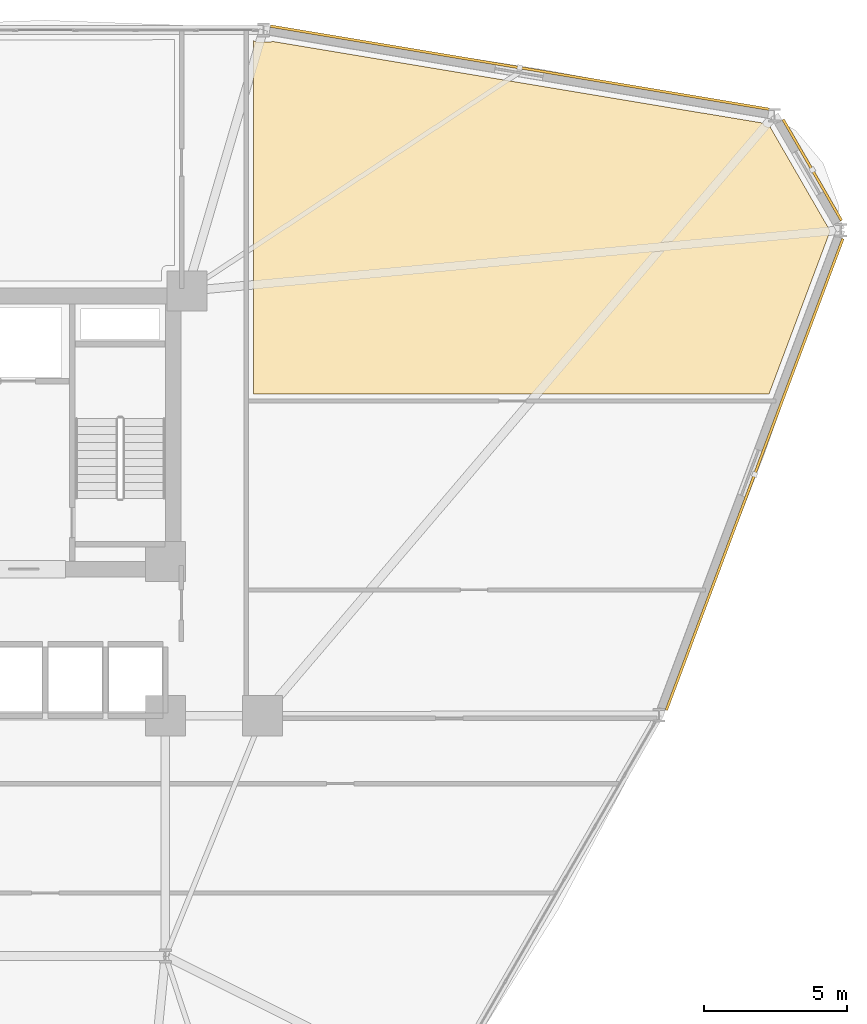
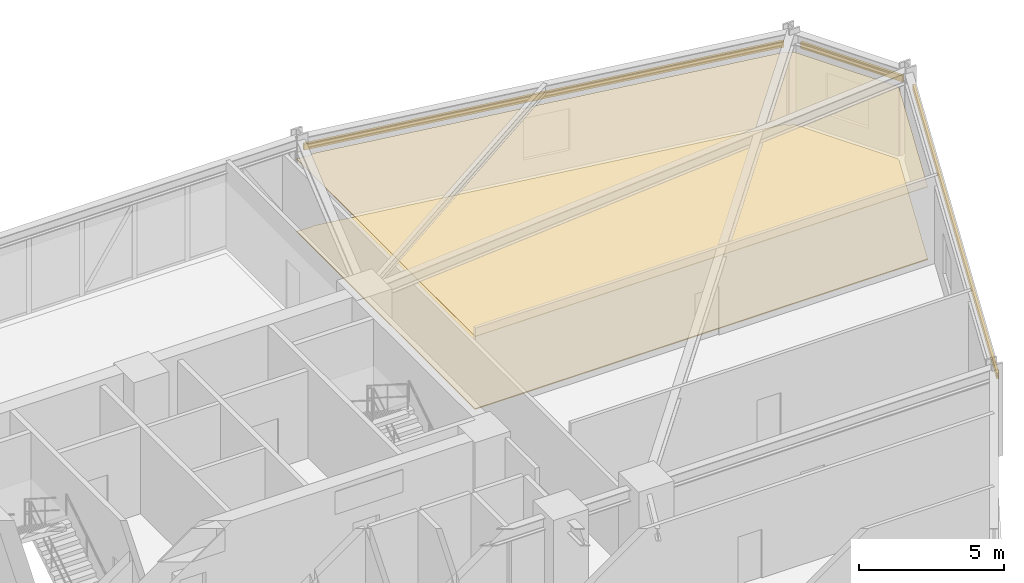
# One storey, part 21 of 21: 3 shading devices, 2 coverings.
"""IFC4 building model written with IfcOpenShell, lengths in metres."""

import ifcopenshell
import ifcopenshell.guid

model = None  # the IFC model being written
_history = None  # IfcOwnerHistory: only IFC2X3 demands one
_inside = {}  # id of a spatial element -> (the spatial element, [elements in it])
_under = {}  # id of a project, library or spatial element -> (it, [spatial elements below it])
_declared = {}  # id of a project -> (the project, [libraries it declares])
_typed = {}  # id of a type object -> (the type object, [elements of that type])
_made_of = {}  # id of a material, layer set ... -> (it, [elements and type objects made of it])


def new_model(schema):
    """Start an empty IFC model of exactly this schema.

    Asked for "IFC4X3", IfcOpenShell would pick the latest addendum, in which some entities
    have other attributes; the version numbers below select the first issue.
    IFC2X3 requires an IfcOwnerHistory on every rooted entity: one is made here for all.
    """
    global model, _history
    if schema == "IFC4X3":
        model = ifcopenshell.file(schema_version=(4, 3, 0, 0))
    else:
        model = ifcopenshell.file(schema=schema)
    _inside.clear()
    _under.clear()
    _declared.clear()
    _typed.clear()
    _made_of.clear()
    _history = None
    if model.schema == "IFC2X3":
        org = make("IfcOrganization", Name="unknown")
        user = make(
            "IfcPersonAndOrganization",
            ThePerson=make("IfcPerson", FamilyName="unknown"),
            TheOrganization=org,
        )
        app = make(
            "IfcApplication",
            ApplicationDeveloper=org,
            Version="unknown",
            ApplicationFullName="unknown",
            ApplicationIdentifier="unknown",
        )
        _history = make(
            "IfcOwnerHistory",
            OwningUser=user,
            OwningApplication=app,
            ChangeAction="ADDED",
            CreationDate=0,
        )
    return model


def make(cls, **values):
    """One entity of the class cls with the attributes given. An attribute that is None is left unset."""
    return model.create_entity(
        cls, **{name: value for name, value in values.items() if value is not None}
    )


def rooted(cls, **values):
    """An entity with a GlobalId (a new one), such as an element, a storey or a relation."""
    return make(cls, GlobalId=ifcopenshell.guid.new(), OwnerHistory=_history, **values)


def si_unit(unit_type, name, prefix=None):
    """IfcSIUnit, for example si_unit("LENGTHUNIT", "METRE", prefix="MILLI")."""
    return make("IfcSIUnit", UnitType=unit_type, Prefix=prefix, Name=name)


def derived_unit(unit_type, elements):
    """IfcDerivedUnit: a product of units, each with its exponent."""
    return make(
        "IfcDerivedUnit",
        Elements=[
            make("IfcDerivedUnitElement", Unit=unit, Exponent=power)
            for unit, power in elements
        ],
        UnitType=unit_type,
    )


def assignment(units):
    """IfcUnitAssignment: the units of a project."""
    return None if units is None else make("IfcUnitAssignment", Units=units)


def point(xyz):
    """IfcCartesianPoint."""
    return None if xyz is None else make("IfcCartesianPoint", Coordinates=xyz)


def direction(xyz):
    """IfcDirection."""
    return None if xyz is None else make("IfcDirection", DirectionRatios=xyz)


def frame(location, z_axis=None, x_axis=None):
    """IfcAxis2Placement3D, a coordinate frame: its origin and axes. An axis left out is left unset."""
    return make(
        "IfcAxis2Placement3D",
        Location=point(location),
        Axis=direction(z_axis),
        RefDirection=direction(x_axis),
    )


def frame_2d(location, x_axis=None):
    """IfcAxis2Placement2D, a coordinate frame in the plane: its origin and x axis."""
    return make(
        "IfcAxis2Placement2D", Location=point(location), RefDirection=direction(x_axis)
    )


def origin():
    """The frame at (0, 0, 0) with its axes left unset."""
    return frame((0.0, 0.0, 0.0))


def origin_2d():
    """The frame at (0, 0) in the plane with its x axis left unset."""
    return frame_2d((0.0, 0.0))


def place(relative_to, where):
    """IfcLocalPlacement: puts the frame where relative to a parent placement (None: the world)."""
    return make(
        "IfcLocalPlacement", PlacementRelTo=relative_to, RelativePlacement=where
    )


def context(
    kind, dimensions, precision=None, world=None, true_north=None, identifier=None
):
    """IfcGeometricRepresentationContext, for example the 3D "Model" context."""
    return make(
        "IfcGeometricRepresentationContext",
        ContextIdentifier=identifier,
        ContextType=kind,
        CoordinateSpaceDimension=dimensions,
        Precision=precision,
        WorldCoordinateSystem=world,
        TrueNorth=true_north,
    )


def subcontext(parent, identifier, kind, view, scale=None):
    """IfcGeometricRepresentationSubContext, for example "Body" below "Model"."""
    return make(
        "IfcGeometricRepresentationSubContext",
        ContextIdentifier=identifier,
        ContextType=kind,
        ParentContext=parent,
        TargetScale=scale,
        TargetView=view,
    )


def project(units=None, contexts=None):
    """IfcProject with its units and contexts."""
    return rooted(
        "IfcProject",
        Name="project",
        RepresentationContexts=contexts,
        UnitsInContext=assignment(units),
    )


def spatial(cls, under=None, at=None, **own):
    """A site, building, storey or space (cls), placed at a placement, below another one or the project."""
    s = rooted(cls, ObjectPlacement=at, **own)
    if under is not None:
        _under.setdefault(under.id(), (under, []))[1].append(s)
    return s


def polyline(points):
    """IfcPolyline through the points."""
    return make("IfcPolyline", Points=[point(p) for p in points])


def profile(cls, at=None, kind="AREA", **sizes):
    """A parametric profile (cls). Its sizes go by their IFC names, for example OverallWidth=200.0."""
    return make(cls, ProfileType=kind, Position=at, **sizes)


def hollow_rectangle(**sizes):
    """IfcRectangleHollowProfileDef."""
    return profile("IfcRectangleHollowProfileDef", **sizes)


def outline(outer, holes=None, kind="AREA"):
    """IfcArbitraryClosedProfileDef: a profile drawn as a closed curve; with holes, ...WithVoids."""
    if holes is None:
        return make("IfcArbitraryClosedProfileDef", ProfileType=kind, OuterCurve=outer)
    return make(
        "IfcArbitraryProfileDefWithVoids",
        ProfileType=kind,
        OuterCurve=outer,
        InnerCurves=holes,
    )


def extrude(swept, where, along, depth):
    """IfcExtrudedAreaSolid: the profile swept, set in the frame where, extruded along a direction by depth."""
    return make(
        "IfcExtrudedAreaSolid",
        SweptArea=swept,
        Position=where,
        ExtrudedDirection=direction(along),
        Depth=depth,
    )


def shape(context_of_items, identifier, shape_type, items):
    """IfcShapeRepresentation: the items that make up one representation, for example the "Body"."""
    return make(
        "IfcShapeRepresentation",
        ContextOfItems=context_of_items,
        RepresentationIdentifier=identifier,
        RepresentationType=shape_type,
        Items=items,
    )


def source(mapping_origin, context_of_items, identifier, shape_type, items):
    """IfcRepresentationMap: a shape defined once, which mapped items show again and again."""
    return make(
        "IfcRepresentationMap",
        MappingOrigin=mapping_origin,
        MappedRepresentation=shape(context_of_items, identifier, shape_type, items),
    )


def transform(
    local_origin,
    x_axis=None,
    y_axis=None,
    z_axis=None,
    scale=None,
    scale2=None,
    scale3=None,
    uniform=True,
):
    """IfcCartesianTransformationOperator3D, or its non-uniform kind. x_axis, y_axis, z_axis: its Axis1, 2, 3."""
    if uniform:
        return make(
            "IfcCartesianTransformationOperator3D",
            Axis1=direction(x_axis),
            Axis2=direction(y_axis),
            LocalOrigin=point(local_origin),
            Scale=scale,
            Axis3=direction(z_axis),
        )
    return make(
        "IfcCartesianTransformationOperator3DnonUniform",
        Axis1=direction(x_axis),
        Axis2=direction(y_axis),
        LocalOrigin=point(local_origin),
        Scale=scale,
        Axis3=direction(z_axis),
        Scale2=scale2,
        Scale3=scale3,
    )


def mapped(mapping_source, mapping_target):
    """IfcMappedItem: shows the shape of a source again, moved by a transform."""
    return make(
        "IfcMappedItem", MappingSource=mapping_source, MappingTarget=mapping_target
    )


def material(Name=None, Category=None):
    """IfcMaterial."""
    return make("IfcMaterial", Name=Name, Category=Category)


def layer(
    of_material, thickness, ventilated=None, Name=None, Category=None, Priority=None
):
    """IfcMaterialLayer: one layer of a wall or slab, of a material (None: an air gap)."""
    return make(
        "IfcMaterialLayer",
        Material=of_material,
        LayerThickness=thickness,
        IsVentilated=ventilated,
        Name=Name,
        Category=Category,
        Priority=Priority,
    )


def layer_set(layers, Name=None):
    """IfcMaterialLayerSet."""
    return make("IfcMaterialLayerSet", MaterialLayers=layers, LayerSetName=Name)


def material_profile(
    of_material, cross_section, Name=None, Category=None, Priority=None
):
    """IfcMaterialProfile: a cross section and its material."""
    return make(
        "IfcMaterialProfile",
        Name=Name,
        Material=of_material,
        Profile=cross_section,
        Priority=Priority,
        Category=Category,
    )


def profile_set(profiles, Name=None, composite=None):
    """IfcMaterialProfileSet."""
    return make(
        "IfcMaterialProfileSet",
        Name=Name,
        MaterialProfiles=profiles,
        CompositeProfile=composite,
    )


def made_of(thing, what):
    """Note that an element or type object is made of a material, layer set ...; save() writes the relation."""
    if what is not None:
        _made_of.setdefault(what.id(), (what, []))[1].append(thing)
    return thing


def type_object(cls, material=None, **own):
    """A type object (cls), such as IfcWallType, which elements share."""
    return made_of(rooted(cls, **own), material)


def element(
    cls,
    number,
    at=None,
    inside=None,
    cuts=None,
    type_object=None,
    material=None,
    context=None,
    identifier="Body",
    shape_type=None,
    held_by="IfcProductDefinitionShape",
    body=None,
    shapes=None,
    **own,
):
    """One element of the class cls, such as IfcWall. Its Tag is "e" and its number.

    at: its placement. inside: the storey or other place that contains it. cuts: it is an
    opening in that element (IfcRelVoidsElement). A single representation is given by context,
    identifier, shape_type and body (its items); several are given by shapes. held_by: the class
    of the entity that holds the representations. save() writes the other relations.
    """
    e = rooted(cls, Tag="e%d" % number, ObjectPlacement=at, **own)
    if body is not None:
        shapes = [shape(context, identifier, shape_type, body)]
    if shapes is not None:
        e.Representation = make(held_by, Representations=shapes)
    if inside is not None:
        _inside.setdefault(inside.id(), (inside, []))[1].append(e)
    if cuts is not None:
        rooted(
            "IfcRelVoidsElement", RelatingBuildingElement=cuts, RelatedOpeningElement=e
        )
    if type_object is not None:
        _typed.setdefault(type_object.id(), (type_object, []))[1].append(e)
    return made_of(e, material)


def aggregate(whole, parts):
    """IfcRelAggregates: a whole, such as a stair, and the parts it consists of."""
    return rooted("IfcRelAggregates", RelatingObject=whole, RelatedObjects=parts)


def save(model, path):
    """Write the relations noted so far, then the file.

    IfcRelAggregates (storeys below a building ...), IfcRelContainedInSpatialStructure (elements
    in a storey), IfcRelDefinesByType, IfcRelAssociatesMaterial and IfcRelDeclares: one each for
    every whole, place, type object, material and project.
    """
    for whole, parts in _under.values():
        aggregate(whole, parts)
    for where, things in _inside.values():
        rooted(
            "IfcRelContainedInSpatialStructure",
            RelatedElements=things,
            RelatingStructure=where,
        )
    for kind, things in _typed.values():
        rooted("IfcRelDefinesByType", RelatedObjects=things, RelatingType=kind)
    for what, things in _made_of.values():
        rooted("IfcRelAssociatesMaterial", RelatedObjects=things, RelatingMaterial=what)
    for by, libraries in _declared.values():
        rooted("IfcRelDeclares", RelatingContext=by, RelatedDefinitions=libraries)
    model.write(path)


model = new_model("IFC4")

# Units and contexts
model_context = context("Model", 3, precision=1e-05, world=origin(), true_north=direction((0.0, 1.0)))
body_context = subcontext(model_context, "Body", "Model", "MODEL_VIEW")
ifc_project = project(units=[si_unit("LENGTHUNIT", "METRE"), si_unit("AREAUNIT", "SQUARE_METRE"), si_unit("VOLUMEUNIT", "CUBIC_METRE"), si_unit("PLANEANGLEUNIT", "RADIAN"), si_unit("MASSUNIT", "GRAM", prefix="KILO"), derived_unit("THERMALTRANSMITTANCEUNIT", [(si_unit("POWERUNIT", "WATT"), 1), (si_unit("LENGTHUNIT", "METRE"), -2), (si_unit("THERMODYNAMICTEMPERATUREUNIT", "KELVIN"), -1)])], contexts=[model_context])

# Site, building, storey
site_placement = place(None, origin())
site = spatial("IfcSite", under=ifc_project, at=site_placement, CompositionType="ELEMENT")
building_placement = place(site_placement, origin())
building = spatial("IfcBuilding", under=site, at=building_placement, Name="Korsvarv Bourse and Concert Hall", CompositionType="ELEMENT")
storey_placement = place(building_placement, frame((0.0, 0.0, 63.89990234375)))
storey = spatial("IfcBuildingStorey", under=building, at=storey_placement, Name="L15", CompositionType="ELEMENT", Elevation=63.89990234375)

# Coverings
ifc_material_1 = material(Name="Perforated mineral-wool and birch acoustic baffle ceiling", Category="wood")
ifc_layer_1 = layer(ifc_material_1, 0.02490234375)
ifc_layer_set_1 = layer_set([ifc_layer_1], Name="Perforated mineral-wool and birch acoustic baffle ceiling")
covering_type_1 = type_object("IfcCoveringType", Name="COV-CEIL-1", PredefinedType="CEILING", material=ifc_layer_set_1)
covering_1_placement = place(storey_placement, frame((0.0, 0.0, 3.06005859375)))
element("IfcCovering", 1, at=covering_1_placement, inside=storey, type_object=covering_type_1, Name="L15 acoustic baffle ceiling 1", PredefinedType="CEILING", context=body_context, shape_type="SweptSolid", body=[
    extrude(outline(polyline([(47.48876953125, 56.002197265625), (47.517333984375, 55.982421875), (47.54931640625, 55.968505859375), (47.583251953125, 55.961181640625), (48.03466796875, 55.94970703125), (48.070068359375, 55.95263671875), (48.1044921875, 55.962158203125), (48.135986328125, 55.978515625), (65.30078125, 53.120361328125), (65.310302734375, 53.091064453125), (65.327880859375, 53.059326171875), (65.351318359375, 53.03173828125), (65.3798828125, 53.009521484375), (65.41259765625, 52.993408203125), (65.447509765625, 52.98388671875), (65.54833984375, 52.9775390625), (67.614501953125, 49.3984375), (67.614501953125, 49.2783203125), (65.505859375, 43.64990234375), (47.47998046875, 43.64990234375), (47.48876953125, 56.002197265625)])), origin(), (0.0, 0.0, 1.0), 0.025146484375),
])
ifc_material_2 = material(Name="Calcium-sulphate raised access trading floor with Nordic oak top", Category="wood")
ifc_layer_2 = layer(ifc_material_2, 0.0400390625)
ifc_layer_set_2 = layer_set([ifc_layer_2], Name="Calcium-sulphate raised access trading floor with Nordic oak top")
covering_type_2 = type_object("IfcCoveringType", Name="COV-FLOR-1", PredefinedType="FLOORING", material=ifc_layer_set_2)
covering_2_placement = place(storey_placement, origin())
element("IfcCovering", 2, at=covering_2_placement, inside=storey, type_object=covering_type_2, Name="L15 raised access oak floor finish 1", PredefinedType="FLOORING", context=body_context, shape_type="SweptSolid", body=[
    extrude(outline(polyline([(47.48876953125, 56.002197265625), (47.517333984375, 55.982421875), (47.54931640625, 55.968505859375), (47.583251953125, 55.961181640625), (48.03466796875, 55.94970703125), (48.070068359375, 55.95263671875), (48.1044921875, 55.962158203125), (48.135986328125, 55.978515625), (65.30078125, 53.120361328125), (65.310302734375, 53.091064453125), (65.327880859375, 53.059326171875), (65.351318359375, 53.03173828125), (65.3798828125, 53.009521484375), (65.41259765625, 52.993408203125), (65.447509765625, 52.98388671875), (65.54833984375, 52.9775390625), (67.614501953125, 49.3984375), (67.614501953125, 49.2783203125), (65.505859375, 43.64990234375), (47.47998046875, 43.64990234375), (47.48876953125, 56.002197265625)])), origin(), (0.0, 0.0, 1.0), 0.0400390625),
])

# Shading devices
ifc_material_3 = material(Name="Glazed extruded architectural terracotta", Category="ceramic")
ifc_material_profile = material_profile(ifc_material_3, hollow_rectangle(XDim=0.090087890625, YDim=0.260009765625, WallThickness=0.011962890625, at=origin_2d()), Name="TC-BAG 90x260")
ifc_profile_set = profile_set([ifc_material_profile], Name="Glazed extruded architectural terracotta")
shading_device_type = type_object("IfcShadingDeviceType", Name="SHD-BAG-1", PredefinedType="USERDEFINED", material=ifc_profile_set)
shared_shape_1 = source(origin(), body_context, "Body", "SweptSolid", [
    extrude(hollow_rectangle(XDim=0.090087890625, YDim=0.260009765625, WallThickness=0.011962890625, at=origin_2d()), origin(), (0.0, 0.0, 1.0), 4.0791015625),
])
shading_device_1_placement = place(storey_placement, frame((68.037109375, 49.716796875, 3.070068359375), z_axis=(-0.500014317814, 0.866017137233, 0.0), x_axis=(-0.866017137233, -0.500014317814, 0.0)))
element("IfcShadingDevice", 3, at=shading_device_1_placement, inside=storey, type_object=shading_device_type, Name="L15 terracotta baguette sunshade EW-L15-B01", ObjectType="BAGUETTE", PredefinedType="USERDEFINED", context=body_context, shape_type="MappedRepresentation", body=[
    mapped(shared_shape_1, transform((0.0, 0.0, 0.0), scale=1.0)),
])
shared_shape_2 = source(origin(), body_context, "Body", "SweptSolid", [
    extrude(hollow_rectangle(XDim=0.090087890625, YDim=0.260009765625, WallThickness=0.011962890625, at=origin_2d()), origin(), (0.0, 0.0, 1.0), 17.677490234375),
])
shading_device_2_placement = place(storey_placement, frame((65.509521484375, 53.607666015625, 3.070068359375), z_axis=(-0.986399895449, 0.16436315359, 0.0), x_axis=(-0.16436315359, -0.986399895449, 0.0)))
element("IfcShadingDevice", 4, at=shading_device_2_placement, inside=storey, type_object=shading_device_type, Name="L15 terracotta baguette sunshade EW-L15-B02", ObjectType="BAGUETTE", PredefinedType="USERDEFINED", context=body_context, shape_type="MappedRepresentation", body=[
    mapped(shared_shape_2, transform((0.0, 0.0, 0.0), scale=1.0)),
])
shared_shape_3 = source(origin(), body_context, "Body", "SweptSolid", [
    extrude(hollow_rectangle(XDim=0.090087890625, YDim=0.260009765625, WallThickness=0.011962890625, at=origin_2d()), origin(), (0.0, 0.0, 1.0), 17.6005859375),
])
shading_device_3_placement = place(storey_placement, frame((61.914794921875, 32.59716796875, 3.070068359375), z_axis=(0.350845241249, 0.93643345556, 0.0), x_axis=(-0.93643345556, 0.350845241249, 0.0)))
element("IfcShadingDevice", 5, at=shading_device_3_placement, inside=storey, type_object=shading_device_type, Name="L15 terracotta baguette sunshade EW-L15-B12", ObjectType="BAGUETTE", PredefinedType="USERDEFINED", context=body_context, shape_type="MappedRepresentation", body=[
    mapped(shared_shape_3, transform((0.0, 0.0, 0.0), scale=1.0)),
])

save(model, "model.ifc")
